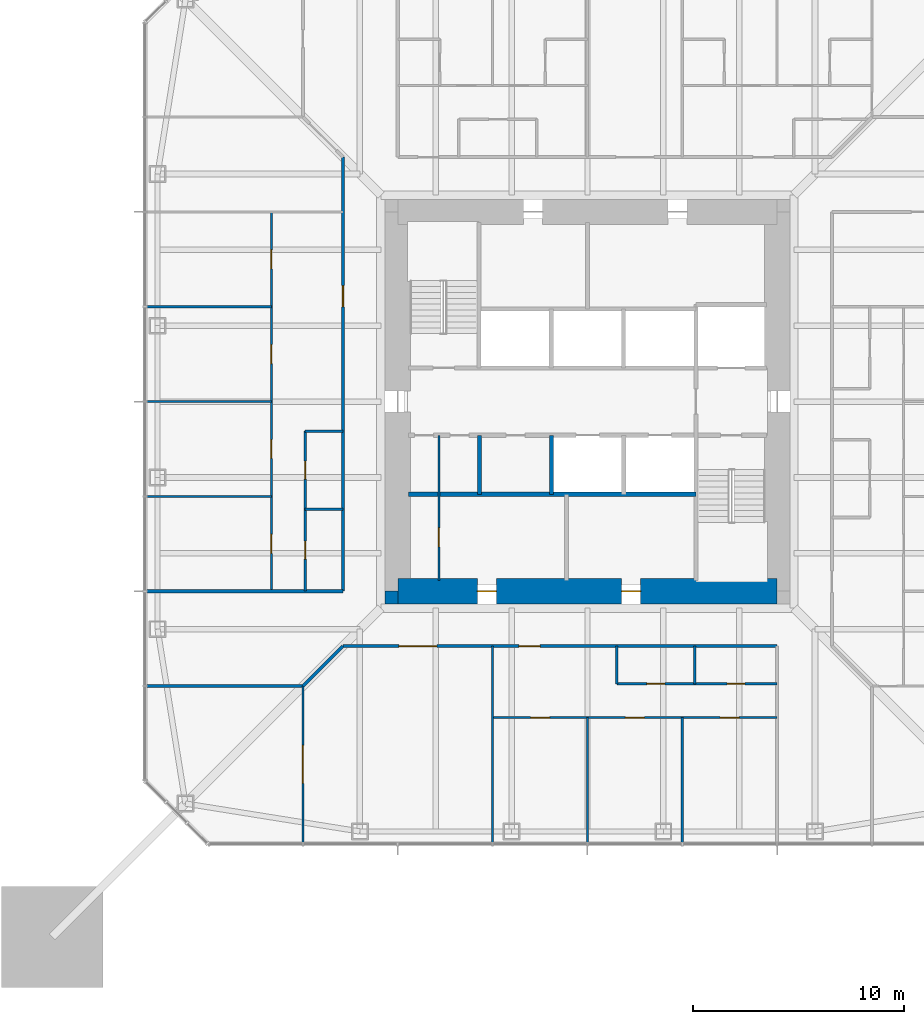
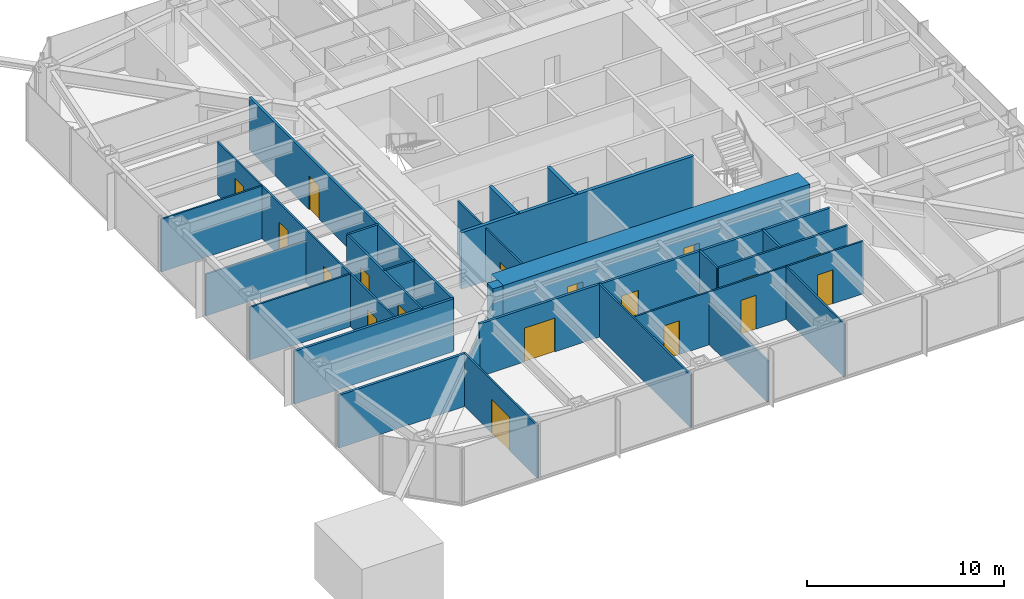
# One storey, part 13 of 25: 26 walls, 18 doors, 18 openings.
"""IFC4 building model written with IfcOpenShell, lengths in metres."""

from ifc_helpers import new_model, si_unit, direction, frame, frame_2d, origin, place, context, subcontext, project, spatial, rectangle, extrude, material, layer, layer_set, type_object, element, fill, save


model = new_model("IFC4")

# Units and contexts
model_context = context("Model", 3, precision=1e-05, world=origin(), true_north=direction((0.0, 1.0)))
body_context = subcontext(model_context, "Body", "Model", "MODEL_VIEW")
ifc_project = project(units=[si_unit("LENGTHUNIT", "METRE"), si_unit("AREAUNIT", "SQUARE_METRE"), si_unit("VOLUMEUNIT", "CUBIC_METRE"), si_unit("PLANEANGLEUNIT", "RADIAN"), si_unit("MASSUNIT", "GRAM", prefix="KILO")], contexts=[model_context])

# Site, building, storey
site_placement = place(None, origin())
site = spatial("IfcSite", under=ifc_project, at=site_placement, CompositionType="ELEMENT")
building_placement = place(site_placement, origin())
building = spatial("IfcBuilding", under=site, at=building_placement, Name="Iwan Alto Co-Living Towers", CompositionType="ELEMENT")
storey_placement = place(building_placement, frame((0.0, 0.0, 105.0)))
storey = spatial("IfcBuildingStorey", under=building, at=storey_placement, Name="L28", CompositionType="ELEMENT", Elevation=105.0)

# Wall
ifc_material_1 = material(Name="Gypsum board")
ifc_layer_1 = layer(ifc_material_1, 0.02490234375, Name="Board", Category="Finish")
ifc_material_2 = material(Name="Steel ASTM A1003 ST33H cold-formed studs", Category="steel")
ifc_layer_2 = layer(ifc_material_2, 0.10009765625, Name="Studs", Category="Framing")
ifc_layer_3 = layer(ifc_material_1, 0.02490234375, Name="Board", Category="Finish")
ifc_layer_set_1 = layer_set([ifc_layer_1, ifc_layer_2, ifc_layer_3], Name="CORRIDOR WALL 150")
wall_type_1 = type_object("IfcWallType", Name="CORRIDOR WALL 150", PredefinedType="PARTITIONING", material=ifc_layer_set_1)
wall_1_placement = place(storey_placement, frame((-20.93994140625, -13.5, 0.0), z_axis=(0.0, 0.0, 1.0), x_axis=(1.0, 0.0, 0.0)))
element("IfcWall", 1, at=wall_1_placement, inside=storey, type_object=wall_type_1, Name="Partition L28", PredefinedType="PARTITIONING", context=body_context, shape_type="SweptSolid", body=[
    extrude(rectangle(XDim=7.43994140625, YDim=0.14990234375, at=frame_2d((3.719970703125, 0.0))), origin(), (0.0, 0.0, 1.0), 3.27001953125),
])

# Wall, openings, doors
wall_2_placement = place(storey_placement, frame((-11.60009765625, -11.60009765625, 0.0), z_axis=(0.0, 0.0, 1.0), x_axis=(1.0, 0.0, 0.0)))
wall_2 = element("IfcWall", 2, at=wall_2_placement, inside=storey, type_object=wall_type_1, Name="Partition L28", PredefinedType="PARTITIONING", context=body_context, shape_type="SweptSolid", body=[
    extrude(rectangle(XDim=20.60009765625, YDim=0.14990234375, at=frame_2d((10.300048828125, 0.0))), origin(), (0.0, 0.0, 1.0), 3.27001953125),
])
opening_1_placement = place(wall_2_placement, frame((2.64990234375, 0.0, 0.0)))
opening_1 = element("IfcOpeningElement", 3, at=opening_1_placement, cuts=wall_2, Name="Opening D9", PredefinedType="OPENING", context=body_context, shape_type="SweptSolid", body=[
    extrude(rectangle(XDim=1.800048828125, YDim=2.10009765625, at=frame_2d((0.89990234375, 1.050048828125))), frame((0.0, 0.0849609375, 0.0), z_axis=(0.0, -1.0, 0.0), x_axis=(1.0, 0.0, 0.0)), (0.0, 0.0, 1.0), 0.169921875),
])
opening_2_placement = place(wall_2_placement, frame((8.35009765625, 0.0, 0.0)))
opening_2 = element("IfcOpeningElement", 4, at=opening_2_placement, cuts=wall_2, Name="Opening D3", PredefinedType="OPENING", context=body_context, shape_type="SweptSolid", body=[
    extrude(rectangle(XDim=1.0, YDim=2.10009765625, at=frame_2d((0.5, 1.050048828125))), frame((0.0, 0.0849609375, 0.0), z_axis=(0.0, -1.0, 0.0), x_axis=(1.0, 0.0, 0.0)), (0.0, 0.0, 1.0), 0.169921875),
])
ifc_material_3 = material(Name="Steel frame with timber leaf", Category="steel")
door_type_1 = type_object("IfcDoorType", Name="FLAT ENTRANCE DOOR FD30S 1000X2100", OperationType="SINGLE_SWING_LEFT", PredefinedType="DOOR", material=ifc_material_3)
door_1_placement = place(opening_2_placement, frame((1.0, 0.0, 0.0), z_axis=(0.0, 0.0, 1.0), x_axis=(-1.0, 0.0, 0.0)))
door_1 = element("IfcDoor", 5, at=door_1_placement, inside=storey, type_object=door_type_1, Name="Cluster lounge and shared kitchen door L28", OperationType="SINGLE_SWING_RIGHT", OverallHeight=2.10009765625, OverallWidth=1.0, PredefinedType="DOOR", context=body_context, shape_type="SweptSolid", body=[
    extrude(rectangle(XDim=1.0, YDim=2.10009765625, at=frame_2d((0.5, 1.050048828125))), frame((0.0, 0.02490234375, 0.0), z_axis=(0.0, -1.0, 0.0), x_axis=(1.0, 0.0, 0.0)), (0.0, 0.0, 1.0), 0.050048828125),
])
fill(opening_2, door_1)
ifc_material_4 = material(Name="Steel frame with timber leaf", Category="steel")
door_type_2 = type_object("IfcDoorType", Name="LOUNGE DOOR FD30S 1800X2100", OperationType="DOUBLE_DOOR_SINGLE_SWING", PredefinedType="DOOR", material=ifc_material_4)
door_2_placement = place(opening_1_placement, frame((1.800048828125, 0.0, 0.0), z_axis=(0.0, 0.0, 1.0), x_axis=(-1.0, 0.0, 0.0)))
door_2 = element("IfcDoor", 6, at=door_2_placement, inside=storey, type_object=door_type_2, Name="Study commons door L28", OperationType="DOUBLE_DOOR_SINGLE_SWING", OverallHeight=2.10009765625, OverallWidth=1.800048828125, PredefinedType="DOOR", context=body_context, shape_type="SweptSolid", body=[
    extrude(rectangle(XDim=1.800048828125, YDim=2.10009765625, at=frame_2d((0.89990234375, 1.050048828125))), frame((0.0, 0.02490234375, 0.0), z_axis=(0.0, -1.0, 0.0), x_axis=(1.0, 0.0, 0.0)), (0.0, 0.0, 1.0), 0.050048828125),
])
fill(opening_1, door_2)

# Walls
wall_3_placement = place(storey_placement, frame((-20.93994140625, -9.0, 0.0), z_axis=(0.0, 0.0, 1.0), x_axis=(1.0, 0.0, 0.0)))
element("IfcWall", 7, at=wall_3_placement, inside=storey, type_object=wall_type_1, Name="Partition L28", PredefinedType="PARTITIONING", context=body_context, shape_type="SweptSolid", body=[
    extrude(rectangle(XDim=9.33984375, YDim=0.14990234375, at=frame_2d((4.669921875, 0.0))), origin(), (0.0, 0.0, 1.0), 3.27001953125),
])
wall_4_placement = place(storey_placement, frame((-13.5, -13.5, 0.0), z_axis=(0.0, 0.0, 1.0), x_axis=(0.707106781187, 0.707106781187, 0.0)))
element("IfcWall", 8, at=wall_4_placement, inside=storey, type_object=wall_type_1, Name="Partition L28", PredefinedType="PARTITIONING", context=body_context, shape_type="SweptSolid", body=[
    extrude(rectangle(XDim=2.686767578125, YDim=0.14990234375, at=frame_2d((1.34326171875, 0.0))), origin(), (0.0, 0.0, 1.0), 2.343017578125),
])

# Wall, opening, door
wall_5_placement = place(storey_placement, frame((-11.60009765625, -9.0, 0.0), z_axis=(0.0, 0.0, 1.0), x_axis=(0.0, 1.0, 0.0)))
wall_5 = element("IfcWall", 9, at=wall_5_placement, inside=storey, type_object=wall_type_1, Name="Partition L28", PredefinedType="PARTITIONING", context=body_context, shape_type="SweptSolid", body=[
    extrude(rectangle(XDim=20.60009765625, YDim=0.14990234375, at=frame_2d((10.300048828125, 0.0))), origin(), (0.0, 0.0, 1.0), 3.27001953125),
])
opening_3_placement = place(wall_5_placement, frame((13.5, 0.0, 0.0)))
opening_3 = element("IfcOpeningElement", 10, at=opening_3_placement, cuts=wall_5, Name="Opening D3", PredefinedType="OPENING", context=body_context, shape_type="SweptSolid", body=[
    extrude(rectangle(XDim=1.0, YDim=2.10009765625, at=frame_2d((0.5, 1.050048828125))), frame((0.0, 0.0849609375, 0.0), z_axis=(0.0, -1.0, 0.0), x_axis=(1.0, 0.0, 0.0)), (0.0, 0.0, 1.0), 0.169921875),
])
door_3_placement = place(opening_3_placement, origin())
door_3 = element("IfcDoor", 11, at=door_3_placement, inside=storey, type_object=door_type_1, Name="Cluster lounge and shared kitchen door L28", OperationType="SINGLE_SWING_RIGHT", OverallHeight=2.10009765625, OverallWidth=1.0, PredefinedType="DOOR", context=body_context, shape_type="SweptSolid", body=[
    extrude(rectangle(XDim=1.0, YDim=2.10009765625, at=frame_2d((0.5, 1.050048828125))), frame((0.0, 0.02490234375, 0.0), z_axis=(0.0, -1.0, 0.0), x_axis=(1.0, 0.0, 0.0)), (0.0, 0.0, 1.0), 0.050048828125),
])
fill(opening_3, door_3)

# Wall, openings, doors
ifc_layer_4 = layer(ifc_material_1, 0.012451171875, Name="Board", Category="Finish")
ifc_layer_5 = layer(ifc_material_2, 0.074951171875, Name="Studs", Category="Framing")
ifc_layer_6 = layer(ifc_material_1, 0.012451171875, Name="Board", Category="Finish")
ifc_layer_set_2 = layer_set([ifc_layer_4, ifc_layer_5, ifc_layer_6], Name="PARTITION 100")
wall_type_2 = type_object("IfcWallType", Name="PARTITION 100", PredefinedType="PARTITIONING", material=ifc_layer_set_2)
wall_6_placement = place(storey_placement, frame((-4.5, -15.0, 0.0), z_axis=(0.0, 0.0, 1.0), x_axis=(1.0, 0.0, 0.0)))
wall_6 = element("IfcWall", 12, at=wall_6_placement, inside=storey, type_object=wall_type_2, Name="Partition L28", PredefinedType="PARTITIONING", context=body_context, shape_type="SweptSolid", body=[
    extrude(rectangle(XDim=13.5, YDim=0.10009765625, at=frame_2d((6.75, 0.0))), origin(), (0.0, 0.0, 1.0), 3.27001953125),
])
opening_4_placement = place(wall_6_placement, frame((1.800048828125, 0.0, 0.0)))
opening_4 = element("IfcOpeningElement", 13, at=opening_4_placement, cuts=wall_6, Name="Opening D1", PredefinedType="OPENING", context=body_context, shape_type="SweptSolid", body=[
    extrude(rectangle(XDim=0.89990234375, YDim=2.10009765625, at=frame_2d((0.449951171875, 1.050048828125))), frame((0.0, 0.06005859375, 0.0), z_axis=(0.0, -1.0, 0.0), x_axis=(1.0, 0.0, 0.0)), (0.0, 0.0, 1.0), 0.1201171875),
])
opening_5_placement = place(wall_6_placement, frame((6.300048828125, 0.0, 0.0)))
opening_5 = element("IfcOpeningElement", 14, at=opening_5_placement, cuts=wall_6, Name="Opening D1", PredefinedType="OPENING", context=body_context, shape_type="SweptSolid", body=[
    extrude(rectangle(XDim=0.89990234375, YDim=2.10009765625, at=frame_2d((0.449951171875, 1.050048828125))), frame((0.0, 0.06005859375, 0.0), z_axis=(0.0, -1.0, 0.0), x_axis=(1.0, 0.0, 0.0)), (0.0, 0.0, 1.0), 0.1201171875),
])
opening_6_placement = place(wall_6_placement, frame((10.800048828125, 0.0, 0.0)))
opening_6 = element("IfcOpeningElement", 15, at=opening_6_placement, cuts=wall_6, Name="Opening D1", PredefinedType="OPENING", context=body_context, shape_type="SweptSolid", body=[
    extrude(rectangle(XDim=0.89990234375, YDim=2.10009765625, at=frame_2d((0.449951171875, 1.050048828125))), frame((0.0, 0.06005859375, 0.0), z_axis=(0.0, -1.0, 0.0), x_axis=(1.0, 0.0, 0.0)), (0.0, 0.0, 1.0), 0.1201171875),
])
ifc_material_5 = material(Name="Timber leaf in steel frame", Category="steel")
door_type_3 = type_object("IfcDoorType", Name="BEDROOM DOOR 900X2100", OperationType="SINGLE_SWING_LEFT", PredefinedType="DOOR", material=ifc_material_5)
door_4_placement = place(opening_4_placement, origin())
door_4 = element("IfcDoor", 16, at=door_4_placement, inside=storey, type_object=door_type_3, Name="Study bedroom door L28", OperationType="SINGLE_SWING_LEFT", OverallHeight=2.10009765625, OverallWidth=0.89990234375, PredefinedType="DOOR", context=body_context, shape_type="SweptSolid", body=[
    extrude(rectangle(XDim=0.89990234375, YDim=2.10009765625, at=frame_2d((0.449951171875, 1.050048828125))), frame((0.0, 0.02490234375, 0.0), z_axis=(0.0, -1.0, 0.0), x_axis=(1.0, 0.0, 0.0)), (0.0, 0.0, 1.0), 0.050048828125),
])
fill(opening_4, door_4)
door_5_placement = place(opening_5_placement, origin())
door_5 = element("IfcDoor", 17, at=door_5_placement, inside=storey, type_object=door_type_3, Name="Study bedroom door L28", OperationType="SINGLE_SWING_LEFT", OverallHeight=2.10009765625, OverallWidth=0.89990234375, PredefinedType="DOOR", context=body_context, shape_type="SweptSolid", body=[
    extrude(rectangle(XDim=0.89990234375, YDim=2.10009765625, at=frame_2d((0.449951171875, 1.050048828125))), frame((0.0, 0.02490234375, 0.0), z_axis=(0.0, -1.0, 0.0), x_axis=(1.0, 0.0, 0.0)), (0.0, 0.0, 1.0), 0.050048828125),
])
fill(opening_5, door_5)
door_6_placement = place(opening_6_placement, origin())
door_6 = element("IfcDoor", 18, at=door_6_placement, inside=storey, type_object=door_type_3, Name="Study bedroom door L28", OperationType="SINGLE_SWING_RIGHT", OverallHeight=2.10009765625, OverallWidth=0.89990234375, PredefinedType="DOOR", context=body_context, shape_type="SweptSolid", body=[
    extrude(rectangle(XDim=0.89990234375, YDim=2.10009765625, at=frame_2d((0.449951171875, 1.050048828125))), frame((0.0, 0.02490234375, 0.0), z_axis=(0.0, -1.0, 0.0), x_axis=(1.0, 0.0, 0.0)), (0.0, 0.0, 1.0), 0.050048828125),
])
fill(opening_6, door_6)

# Walls
wall_7_placement = place(storey_placement, frame((-20.93994140625, -4.5, 0.0), z_axis=(0.0, 0.0, 1.0), x_axis=(1.0, 0.0, 0.0)))
element("IfcWall", 19, at=wall_7_placement, inside=storey, type_object=wall_type_2, Name="Partition L28", PredefinedType="PARTITIONING", context=body_context, shape_type="SweptSolid", body=[
    extrude(rectangle(XDim=5.93994140625, YDim=0.10009765625, at=frame_2d((2.969970703125, 0.0))), origin(), (0.0, 0.0, 1.0), 3.27001953125),
])
wall_8_placement = place(storey_placement, frame((-20.93994140625, 0.0, 0.0), z_axis=(0.0, 0.0, 1.0), x_axis=(1.0, 0.0, 0.0)))
element("IfcWall", 20, at=wall_8_placement, inside=storey, type_object=wall_type_2, Name="Partition L28", PredefinedType="PARTITIONING", context=body_context, shape_type="SweptSolid", body=[
    extrude(rectangle(XDim=5.93994140625, YDim=0.10009765625, at=frame_2d((2.969970703125, 0.0))), origin(), (0.0, 0.0, 1.0), 2.586669921875),
])
for number, where, z_axis, x_axis, name in (
    (21, (-20.93994140625, 4.5, 0.0), (0.0, 0.0, 1.0), (1.0, 0.0, 0.0), "Partition L28"),
    (22, (4.5, -20.93994140625, 0.0), (0.0, 0.0, 1.0), (0.0, 1.0, 0.0), "Partition L28"),
):
    element("IfcWall", number, at=place(storey_placement, frame(where, z_axis=z_axis, x_axis=x_axis)), inside=storey, type_object=wall_type_2, Name=name, PredefinedType="PARTITIONING", context=body_context, shape_type="SweptSolid", body=[
        extrude(rectangle(XDim=5.93994140625, YDim=0.10009765625, at=frame_2d((2.969970703125, 0.0))), origin(), (0.0, 0.0, 1.0), 3.27001953125),
    ])
wall_9_placement = place(storey_placement, frame((0.0, -20.93994140625, 0.0), z_axis=(0.0, 0.0, 1.0), x_axis=(0.0, 1.0, 0.0)))
element("IfcWall", 23, at=wall_9_placement, inside=storey, type_object=wall_type_2, Name="Partition L28", PredefinedType="PARTITIONING", context=body_context, shape_type="SweptSolid", body=[
    extrude(rectangle(XDim=5.93994140625, YDim=0.10009765625, at=frame_2d((2.969970703125, 0.0))), origin(), (0.0, 0.0, 1.0), 2.586669921875),
])
wall_10_placement = place(storey_placement, frame((-4.5, -20.93994140625, 0.0), z_axis=(0.0, 0.0, 1.0), x_axis=(0.0, 1.0, 0.0)))
element("IfcWall", 24, at=wall_10_placement, inside=storey, type_object=wall_type_2, Name="Partition L28", PredefinedType="PARTITIONING", context=body_context, shape_type="SweptSolid", body=[
    extrude(rectangle(XDim=9.33984375, YDim=0.10009765625, at=frame_2d((4.669921875, 0.0))), origin(), (0.0, 0.0, 1.0), 3.27001953125),
])

# Wall, opening, door
wall_11_placement = place(storey_placement, frame((-7.050048828125, -8.489990234375, 0.0), z_axis=(0.0, 0.0, 1.0), x_axis=(0.0, 1.0, 0.0)))
wall_11 = element("IfcWall", 25, at=wall_11_placement, inside=storey, type_object=wall_type_2, Name="Partition L28", PredefinedType="PARTITIONING", context=body_context, shape_type="SweptSolid", body=[
    extrude(rectangle(XDim=6.889892578125, YDim=0.10009765625, at=frame_2d((3.44482421875, 0.0))), origin(), (0.0, 0.0, 1.0), 3.300048828125),
])
opening_7_placement = place(wall_11_placement, frame((1.594970703125, 0.0, 0.0)))
opening_7 = element("IfcOpeningElement", 26, at=opening_7_placement, cuts=wall_11, Name="Opening D16", PredefinedType="OPENING", context=body_context, shape_type="SweptSolid", body=[
    extrude(rectangle(XDim=0.89990234375, YDim=2.10009765625, at=frame_2d((0.449951171875, 1.050048828125))), frame((0.0, 0.06005859375, 0.0), z_axis=(0.0, -1.0, 0.0), x_axis=(1.0, 0.0, 0.0)), (0.0, 0.0, 1.0), 0.1201171875),
])
ifc_material_6 = material(Name="Timber leaf in steel frame", Category="steel")
door_type_4 = type_object("IfcDoorType", Name="CUPBOARD SLIDING DOOR 900X2100", OperationType="SLIDING_TO_LEFT", PredefinedType="DOOR", material=ifc_material_6)
door_7_placement = place(opening_7_placement, origin())
door_7 = element("IfcDoor", 27, at=door_7_placement, inside=storey, type_object=door_type_4, Name="Cleaner's store door L28", OperationType="SLIDING_TO_RIGHT", OverallHeight=2.10009765625, OverallWidth=0.89990234375, PredefinedType="DOOR", context=body_context, shape_type="SweptSolid", body=[
    extrude(rectangle(XDim=0.89990234375, YDim=2.10009765625, at=frame_2d((0.449951171875, 1.050048828125))), frame((0.0, 0.02490234375, 0.0), z_axis=(0.0, -1.0, 0.0), x_axis=(1.0, 0.0, 0.0)), (0.0, 0.0, 1.0), 0.050048828125),
])
fill(opening_7, door_7)

wall_12_placement = place(storey_placement, frame((-13.5, -20.93994140625, 0.0), z_axis=(0.0, 0.0, 1.0), x_axis=(0.0, 1.0, 0.0)))
wall_12 = element("IfcWall", 28, at=wall_12_placement, inside=storey, type_object=wall_type_2, Name="Partition L28", PredefinedType="PARTITIONING", context=body_context, shape_type="SweptSolid", body=[
    extrude(rectangle(XDim=7.43994140625, YDim=0.10009765625, at=frame_2d((3.719970703125, 0.0))), origin(), (0.0, 0.0, 1.0), 3.27001953125),
])
opening_8_placement = place(wall_12_placement, frame((2.820068359375, 0.0, 0.0)))
opening_8 = element("IfcOpeningElement", 29, at=opening_8_placement, cuts=wall_12, Name="Opening D14", PredefinedType="OPENING", context=body_context, shape_type="SweptSolid", body=[
    extrude(rectangle(XDim=1.800048828125, YDim=2.10009765625, at=frame_2d((0.89990234375, 1.050048828125))), frame((0.0, 0.06005859375, 0.0), z_axis=(0.0, -1.0, 0.0), x_axis=(1.0, 0.0, 0.0)), (0.0, 0.0, 1.0), 0.1201171875),
])
ifc_material_7 = material(Name="Timber leaf in steel frame", Category="steel")
door_type_5 = type_object("IfcDoorType", Name="LOUNGE DOOR 1800X2100", OperationType="DOUBLE_DOOR_SINGLE_SWING", PredefinedType="DOOR", material=ifc_material_7)
door_8_placement = place(opening_8_placement, frame((1.800048828125, 0.0, 0.0), z_axis=(0.0, 0.0, 1.0), x_axis=(-1.0, 0.0, 0.0)))
door_8 = element("IfcDoor", 30, at=door_8_placement, inside=storey, type_object=door_type_5, Name="Courtyard lounge door L28", OperationType="DOUBLE_DOOR_SINGLE_SWING", OverallHeight=2.10009765625, OverallWidth=1.800048828125, PredefinedType="DOOR", context=body_context, shape_type="SweptSolid", body=[
    extrude(rectangle(XDim=1.800048828125, YDim=2.10009765625, at=frame_2d((0.89990234375, 1.050048828125))), frame((0.0, 0.02490234375, 0.0), z_axis=(0.0, -1.0, 0.0), x_axis=(1.0, 0.0, 0.0)), (0.0, 0.0, 1.0), 0.050048828125),
])
fill(opening_8, door_8)

# Wall, openings, doors
wall_13_placement = place(storey_placement, frame((-15.0, -9.0, 0.0), z_axis=(0.0, 0.0, 1.0), x_axis=(0.0, 1.0, 0.0)))
wall_13 = element("IfcWall", 31, at=wall_13_placement, inside=storey, type_object=wall_type_2, Name="Partition L28", PredefinedType="PARTITIONING", context=body_context, shape_type="SweptSolid", body=[
    extrude(rectangle(XDim=18.0, YDim=0.10009765625, at=frame_2d((9.0, 0.0))), origin(), (0.0, 0.0, 1.0), 3.27001953125),
])
opening_9_placement = place(wall_13_placement, frame((15.300048828125, 0.0, 0.0)))
opening_9 = element("IfcOpeningElement", 32, at=opening_9_placement, cuts=wall_13, Name="Opening D1", PredefinedType="OPENING", context=body_context, shape_type="SweptSolid", body=[
    extrude(rectangle(XDim=0.89990234375, YDim=2.10009765625, at=frame_2d((0.449951171875, 1.050048828125))), frame((0.0, 0.06005859375, 0.0), z_axis=(0.0, -1.0, 0.0), x_axis=(1.0, 0.0, 0.0)), (0.0, 0.0, 1.0), 0.1201171875),
])
opening_10_placement = place(wall_13_placement, frame((10.800048828125, 0.0, 0.0)))
opening_10 = element("IfcOpeningElement", 33, at=opening_10_placement, cuts=wall_13, Name="Opening D1", PredefinedType="OPENING", context=body_context, shape_type="SweptSolid", body=[
    extrude(rectangle(XDim=0.89990234375, YDim=2.10009765625, at=frame_2d((0.449951171875, 1.050048828125))), frame((0.0, 0.06005859375, 0.0), z_axis=(0.0, -1.0, 0.0), x_axis=(1.0, 0.0, 0.0)), (0.0, 0.0, 1.0), 0.1201171875),
])
opening_11_placement = place(wall_13_placement, frame((6.300048828125, 0.0, 0.0)))
opening_11 = element("IfcOpeningElement", 34, at=opening_11_placement, cuts=wall_13, Name="Opening D1", PredefinedType="OPENING", context=body_context, shape_type="SweptSolid", body=[
    extrude(rectangle(XDim=0.89990234375, YDim=2.10009765625, at=frame_2d((0.449951171875, 1.050048828125))), frame((0.0, 0.06005859375, 0.0), z_axis=(0.0, -1.0, 0.0), x_axis=(1.0, 0.0, 0.0)), (0.0, 0.0, 1.0), 0.1201171875),
])
opening_12_placement = place(wall_13_placement, frame((1.800048828125, 0.0, 0.0)))
opening_12 = element("IfcOpeningElement", 35, at=opening_12_placement, cuts=wall_13, Name="Opening D1", PredefinedType="OPENING", context=body_context, shape_type="SweptSolid", body=[
    extrude(rectangle(XDim=0.89990234375, YDim=2.10009765625, at=frame_2d((0.449951171875, 1.050048828125))), frame((0.0, 0.06005859375, 0.0), z_axis=(0.0, -1.0, 0.0), x_axis=(1.0, 0.0, 0.0)), (0.0, 0.0, 1.0), 0.1201171875),
])
door_9_placement = place(opening_9_placement, frame((0.89990234375, 0.0, 0.0), z_axis=(0.0, 0.0, 1.0), x_axis=(-1.0, 0.0, 0.0)))
door_9 = element("IfcDoor", 36, at=door_9_placement, inside=storey, type_object=door_type_3, Name="Study bedroom door L28", OperationType="SINGLE_SWING_LEFT", OverallHeight=2.10009765625, OverallWidth=0.89990234375, PredefinedType="DOOR", context=body_context, shape_type="SweptSolid", body=[
    extrude(rectangle(XDim=0.89990234375, YDim=2.10009765625, at=frame_2d((0.449951171875, 1.050048828125))), frame((0.0, 0.02490234375, 0.0), z_axis=(0.0, -1.0, 0.0), x_axis=(1.0, 0.0, 0.0)), (0.0, 0.0, 1.0), 0.050048828125),
])
fill(opening_9, door_9)
door_10_placement = place(opening_10_placement, frame((0.89990234375, 0.0, 0.0), z_axis=(0.0, 0.0, 1.0), x_axis=(-1.0, 0.0, 0.0)))
door_10 = element("IfcDoor", 37, at=door_10_placement, inside=storey, type_object=door_type_3, Name="Study bedroom door L28", OperationType="SINGLE_SWING_LEFT", OverallHeight=2.10009765625, OverallWidth=0.89990234375, PredefinedType="DOOR", context=body_context, shape_type="SweptSolid", body=[
    extrude(rectangle(XDim=0.89990234375, YDim=2.10009765625, at=frame_2d((0.449951171875, 1.050048828125))), frame((0.0, 0.02490234375, 0.0), z_axis=(0.0, -1.0, 0.0), x_axis=(1.0, 0.0, 0.0)), (0.0, 0.0, 1.0), 0.050048828125),
])
fill(opening_10, door_10)
door_11_placement = place(opening_11_placement, frame((0.89990234375, 0.0, 0.0), z_axis=(0.0, 0.0, 1.0), x_axis=(-1.0, 0.0, 0.0)))
door_11 = element("IfcDoor", 38, at=door_11_placement, inside=storey, type_object=door_type_3, Name="Study bedroom door L28", OperationType="SINGLE_SWING_RIGHT", OverallHeight=2.10009765625, OverallWidth=0.89990234375, PredefinedType="DOOR", context=body_context, shape_type="SweptSolid", body=[
    extrude(rectangle(XDim=0.89990234375, YDim=2.10009765625, at=frame_2d((0.449951171875, 1.050048828125))), frame((0.0, 0.02490234375, 0.0), z_axis=(0.0, -1.0, 0.0), x_axis=(1.0, 0.0, 0.0)), (0.0, 0.0, 1.0), 0.050048828125),
])
fill(opening_11, door_11)
door_12_placement = place(opening_12_placement, frame((0.89990234375, 0.0, 0.0), z_axis=(0.0, 0.0, 1.0), x_axis=(-1.0, 0.0, 0.0)))
door_12 = element("IfcDoor", 39, at=door_12_placement, inside=storey, type_object=door_type_3, Name="Study bedroom door L28", OperationType="SINGLE_SWING_RIGHT", OverallHeight=2.10009765625, OverallWidth=0.89990234375, PredefinedType="DOOR", context=body_context, shape_type="SweptSolid", body=[
    extrude(rectangle(XDim=0.89990234375, YDim=2.10009765625, at=frame_2d((0.449951171875, 1.050048828125))), frame((0.0, 0.02490234375, 0.0), z_axis=(0.0, -1.0, 0.0), x_axis=(1.0, 0.0, 0.0)), (0.0, 0.0, 1.0), 0.050048828125),
])
fill(opening_12, door_12)

# Walls
ifc_material_8 = material(Name="Concrete f'c 70 MPa", Category="concrete")
ifc_layer_7 = layer(ifc_material_8, 0.199951171875)
ifc_layer_set_3 = layer_set([ifc_layer_7], Name="SHAFT WALL 200")
wall_type_3 = type_object("IfcWallType", Name="SHAFT WALL 200", PredefinedType="SOLIDWALL", material=ifc_layer_set_3)
wall_14_placement = place(storey_placement, frame((-8.489990234375, -4.39990234375, 0.0), z_axis=(0.0, 0.0, 1.0), x_axis=(1.0, 0.0, 0.0)))
element("IfcWall", 40, at=wall_14_placement, inside=storey, type_object=wall_type_3, Name="Shaft wall L28", PredefinedType="SOLIDWALL", context=body_context, shape_type="SweptSolid", body=[
    extrude(rectangle(XDim=13.639892578125, YDim=0.199951171875, at=frame_2d((6.81982421875, 0.0))), origin(), (0.0, 0.0, 1.0), 3.5),
])
for number, where, z_axis, x_axis, name in (
    (41, (-1.699951171875, -4.39990234375, 0.0), (0.0, 0.0, 1.0), (0.0, 1.0, 0.0), "Shaft wall L28"),
    (42, (-5.125, -4.39990234375, 0.0), (0.0, 0.0, 1.0), (0.0, 1.0, 0.0), "Shaft wall L28"),
):
    element("IfcWall", number, at=place(storey_placement, frame(where, z_axis=z_axis, x_axis=x_axis)), inside=storey, type_object=wall_type_3, Name=name, PredefinedType="SOLIDWALL", context=body_context, shape_type="SweptSolid", body=[
        extrude(rectangle(XDim=2.7998046875, YDim=0.199951171875, at=frame_2d((1.39990234375, 0.0))), origin(), (0.0, 0.0, 1.0), 3.5),
    ])
ifc_material_9 = material(Name="Concrete f'c 70 MPa", Category="concrete")
ifc_layer_8 = layer(ifc_material_9, 0.60009765625)
ifc_layer_set_4 = layer_set([ifc_layer_8], Name="T1 CORE CORNER FILL 600")
wall_type_4 = type_object("IfcWallType", Name="T1 CORE CORNER FILL 600", PredefinedType="SOLIDWALL", material=ifc_layer_set_4)
wall_15_placement = place(storey_placement, frame((-9.60009765625, -9.300048828125, 0.0), z_axis=(0.0, 0.0, 1.0), x_axis=(1.0, 0.0, 0.0)))
element("IfcWall", 43, at=wall_15_placement, inside=storey, type_object=wall_type_4, Name="T1 core corner SW L28", PredefinedType="SOLIDWALL", context=body_context, shape_type="SweptSolid", body=[
    extrude(rectangle(XDim=0.60009765625, YDim=0.60009765625, at=frame_2d((0.300048828125, 0.0))), origin(), (0.0, 0.0, 1.0), 3.5),
])

# Wall, openings, doors
ifc_material_10 = material(Name="Concrete f'c 70 MPa", Category="concrete")
ifc_layer_9 = layer(ifc_material_10, 1.199951171875)
ifc_layer_set_5 = layer_set([ifc_layer_9], Name="T1 CORE WALL 1200")
wall_type_5 = type_object("IfcWallType", Name="T1 CORE WALL 1200", PredefinedType="SHEAR", material=ifc_layer_set_5)
wall_16_placement = place(storey_placement, frame((-9.0, -9.0, 0.0), z_axis=(0.0, 0.0, 1.0), x_axis=(1.0, 0.0, 0.0)))
wall_16 = element("IfcWall", 44, at=wall_16_placement, inside=storey, type_object=wall_type_5, Name="T1 core wall S L28", PredefinedType="SHEAR", context=body_context, shape_type="SweptSolid", body=[
    extrude(rectangle(XDim=18.0, YDim=1.199951171875, at=frame_2d((9.0, 0.0))), origin(), (0.0, 0.0, 1.0), 3.5),
])
opening_13_placement = place(wall_16_placement, frame((3.77490234375, 0.0, 0.0)))
opening_13 = element("IfcOpeningElement", 45, at=opening_13_placement, cuts=wall_16, Name="Opening D8", PredefinedType="OPENING", context=body_context, shape_type="SweptSolid", body=[
    extrude(rectangle(XDim=0.89990234375, YDim=2.10009765625, at=frame_2d((0.449951171875, 1.050048828125))), frame((0.0, 0.60986328125, 0.0), z_axis=(0.0, -1.0, 0.0), x_axis=(1.0, 0.0, 0.0)), (0.0, 0.0, 1.0), 1.219970703125),
])
opening_14_placement = place(wall_16_placement, frame((10.625, 0.0, 0.0)))
opening_14 = element("IfcOpeningElement", 46, at=opening_14_placement, cuts=wall_16, Name="Opening D8", PredefinedType="OPENING", context=body_context, shape_type="SweptSolid", body=[
    extrude(rectangle(XDim=0.89990234375, YDim=2.10009765625, at=frame_2d((0.449951171875, 1.050048828125))), frame((0.0, 0.60986328125, 0.0), z_axis=(0.0, -1.0, 0.0), x_axis=(1.0, 0.0, 0.0)), (0.0, 0.0, 1.0), 1.219970703125),
])
ifc_material_11 = material(Name="Steel frame with timber leaf", Category="steel")
door_type_6 = type_object("IfcDoorType", Name="RISER DOOR FD120 900X2100", OperationType="SINGLE_SWING_LEFT", PredefinedType="DOOR", material=ifc_material_11)
door_13_placement = place(opening_13_placement, origin())
door_13 = element("IfcDoor", 47, at=door_13_placement, inside=storey, type_object=door_type_6, Name="Refuse room core door L28", OperationType="SINGLE_SWING_LEFT", OverallHeight=2.10009765625, OverallWidth=0.89990234375, PredefinedType="DOOR", context=body_context, shape_type="SweptSolid", body=[
    extrude(rectangle(XDim=0.89990234375, YDim=2.10009765625, at=frame_2d((0.449951171875, 1.050048828125))), frame((0.0, 0.02490234375, 0.0), z_axis=(0.0, -1.0, 0.0), x_axis=(1.0, 0.0, 0.0)), (0.0, 0.0, 1.0), 0.050048828125),
])
fill(opening_13, door_13)
door_14_placement = place(opening_14_placement, origin())
door_14 = element("IfcDoor", 48, at=door_14_placement, inside=storey, type_object=door_type_6, Name="Telecom riser core door L28", OperationType="SINGLE_SWING_LEFT", OverallHeight=2.10009765625, OverallWidth=0.89990234375, PredefinedType="DOOR", context=body_context, shape_type="SweptSolid", body=[
    extrude(rectangle(XDim=0.89990234375, YDim=2.10009765625, at=frame_2d((0.449951171875, 1.050048828125))), frame((0.0, 0.02490234375, 0.0), z_axis=(0.0, -1.0, 0.0), x_axis=(1.0, 0.0, 0.0)), (0.0, 0.0, 1.0), 0.050048828125),
])
fill(opening_14, door_14)

ifc_material_12 = material(Name="Cement board")
ifc_layer_10 = layer(ifc_material_12, 0.012451171875, Name="Board", Category="Finish")
ifc_layer_11 = layer(ifc_material_2, 0.094970703125, Name="Studs", Category="Framing")
ifc_layer_12 = layer(ifc_material_12, 0.012451171875, Name="Board", Category="Finish")
ifc_layer_set_6 = layer_set([ifc_layer_10, ifc_layer_11, ifc_layer_12], Name="WET AREA PARTITION 120")
wall_type_6 = type_object("IfcWallType", Name="WET AREA PARTITION 120", PredefinedType="PARTITIONING", material=ifc_layer_set_6)
wall_17_placement = place(storey_placement, frame((1.39990234375, -13.39990234375, 0.0), z_axis=(0.0, 0.0, 1.0), x_axis=(1.0, 0.0, 0.0)))
wall_17 = element("IfcWall", 49, at=wall_17_placement, inside=storey, type_object=wall_type_6, Name="Partition L28", PredefinedType="PARTITIONING", context=body_context, shape_type="SweptSolid", body=[
    extrude(rectangle(XDim=7.60009765625, YDim=0.1201171875, at=frame_2d((3.800048828125, 0.0))), origin(), (0.0, 0.0, 1.0), 3.27001953125),
])
opening_15_placement = place(wall_17_placement, frame((1.425048828125, 0.0, 0.0)))
opening_15 = element("IfcOpeningElement", 50, at=opening_15_placement, cuts=wall_17, Name="Opening D2", PredefinedType="OPENING", context=body_context, shape_type="SweptSolid", body=[
    extrude(rectangle(XDim=0.85009765625, YDim=2.10009765625, at=frame_2d((0.425048828125, 1.050048828125))), frame((0.0, 0.070068359375, 0.0), z_axis=(0.0, -1.0, 0.0), x_axis=(1.0, 0.0, 0.0)), (0.0, 0.0, 1.0), 0.14013671875),
])
opening_16_placement = place(wall_17_placement, frame((5.22509765625, 0.0, 0.0)))
opening_16 = element("IfcOpeningElement", 51, at=opening_16_placement, cuts=wall_17, Name="Opening D2", PredefinedType="OPENING", context=body_context, shape_type="SweptSolid", body=[
    extrude(rectangle(XDim=0.85009765625, YDim=2.10009765625, at=frame_2d((0.425048828125, 1.050048828125))), frame((0.0, 0.070068359375, 0.0), z_axis=(0.0, -1.0, 0.0), x_axis=(1.0, 0.0, 0.0)), (0.0, 0.0, 1.0), 0.14013671875),
])
ifc_material_13 = material(Name="Timber leaf in steel frame", Category="steel")
door_type_7 = type_object("IfcDoorType", Name="ROOM DOOR 850X2100", OperationType="SINGLE_SWING_LEFT", PredefinedType="DOOR", material=ifc_material_13)
door_15_placement = place(opening_15_placement, frame((0.85009765625, 0.0, 0.0), z_axis=(0.0, 0.0, 1.0), x_axis=(-1.0, 0.0, 0.0)))
door_15 = element("IfcDoor", 52, at=door_15_placement, inside=storey, type_object=door_type_7, Name="Accessible bathroom door L28", OperationType="SINGLE_SWING_LEFT", OverallHeight=2.10009765625, OverallWidth=0.85009765625, PredefinedType="DOOR", context=body_context, shape_type="SweptSolid", body=[
    extrude(rectangle(XDim=0.85009765625, YDim=2.10009765625, at=frame_2d((0.425048828125, 1.050048828125))), frame((0.0, 0.02490234375, 0.0), z_axis=(0.0, -1.0, 0.0), x_axis=(1.0, 0.0, 0.0)), (0.0, 0.0, 1.0), 0.050048828125),
])
fill(opening_15, door_15)
door_16_placement = place(opening_16_placement, frame((0.85009765625, 0.0, 0.0), z_axis=(0.0, 0.0, 1.0), x_axis=(-1.0, 0.0, 0.0)))
door_16 = element("IfcDoor", 53, at=door_16_placement, inside=storey, type_object=door_type_7, Name="Laundry door L28", OperationType="SINGLE_SWING_LEFT", OverallHeight=2.10009765625, OverallWidth=0.85009765625, PredefinedType="DOOR", context=body_context, shape_type="SweptSolid", body=[
    extrude(rectangle(XDim=0.85009765625, YDim=2.10009765625, at=frame_2d((0.425048828125, 1.050048828125))), frame((0.0, 0.02490234375, 0.0), z_axis=(0.0, -1.0, 0.0), x_axis=(1.0, 0.0, 0.0)), (0.0, 0.0, 1.0), 0.050048828125),
])
fill(opening_16, door_16)

# Walls
for number, where, z_axis, x_axis, name in (
    (54, (-13.39990234375, -5.10009765625, 0.0), (0.0, 0.0, 1.0), (1.0, 0.0, 0.0), "Partition L28"),
    (55, (-13.39990234375, -1.39990234375, 0.0), (0.0, 0.0, 1.0), (1.0, 0.0, 0.0), "Partition L28"),
    (56, (5.10009765625, -13.39990234375, 0.0), (0.0, 0.0, 1.0), (0.0, 1.0, 0.0), "Partition L28"),
    (57, (1.39990234375, -13.39990234375, 0.0), (0.0, 0.0, 1.0), (0.0, 1.0, 0.0), "Partition L28"),
):
    element("IfcWall", number, at=place(storey_placement, frame(where, z_axis=z_axis, x_axis=x_axis)), inside=storey, type_object=wall_type_6, Name=name, PredefinedType="PARTITIONING", context=body_context, shape_type="SweptSolid", body=[
        extrude(rectangle(XDim=1.7998046875, YDim=0.1201171875, at=frame_2d((0.89990234375, 0.0))), origin(), (0.0, 0.0, 1.0), 3.27001953125),
    ])

# Wall, openings, doors
wall_18_placement = place(storey_placement, frame((-13.39990234375, -9.0, 0.0), z_axis=(0.0, 0.0, 1.0), x_axis=(0.0, 1.0, 0.0)))
wall_18 = element("IfcWall", 58, at=wall_18_placement, inside=storey, type_object=wall_type_6, Name="Partition L28", PredefinedType="PARTITIONING", context=body_context, shape_type="SweptSolid", body=[
    extrude(rectangle(XDim=7.60009765625, YDim=0.1201171875, at=frame_2d((3.800048828125, 0.0))), origin(), (0.0, 0.0, 1.0), 3.27001953125),
])
opening_17_placement = place(wall_18_placement, frame((5.324951171875, 0.0, 0.0)))
opening_17 = element("IfcOpeningElement", 59, at=opening_17_placement, cuts=wall_18, Name="Opening D2", PredefinedType="OPENING", context=body_context, shape_type="SweptSolid", body=[
    extrude(rectangle(XDim=0.85009765625, YDim=2.10009765625, at=frame_2d((0.425048828125, 1.050048828125))), frame((0.0, 0.070068359375, 0.0), z_axis=(0.0, -1.0, 0.0), x_axis=(1.0, 0.0, 0.0)), (0.0, 0.0, 1.0), 0.14013671875),
])
opening_18_placement = place(wall_18_placement, frame((1.52490234375, 0.0, 0.0)))
opening_18 = element("IfcOpeningElement", 60, at=opening_18_placement, cuts=wall_18, Name="Opening D2", PredefinedType="OPENING", context=body_context, shape_type="SweptSolid", body=[
    extrude(rectangle(XDim=0.85009765625, YDim=2.10009765625, at=frame_2d((0.425048828125, 1.050048828125))), frame((0.0, 0.070068359375, 0.0), z_axis=(0.0, -1.0, 0.0), x_axis=(1.0, 0.0, 0.0)), (0.0, 0.0, 1.0), 0.14013671875),
])
door_17_placement = place(opening_17_placement, origin())
door_17 = element("IfcDoor", 61, at=door_17_placement, inside=storey, type_object=door_type_7, Name="Accessible bathroom door L28", OperationType="SINGLE_SWING_LEFT", OverallHeight=2.10009765625, OverallWidth=0.85009765625, PredefinedType="DOOR", context=body_context, shape_type="SweptSolid", body=[
    extrude(rectangle(XDim=0.85009765625, YDim=2.10009765625, at=frame_2d((0.425048828125, 1.050048828125))), frame((0.0, 0.02490234375, 0.0), z_axis=(0.0, -1.0, 0.0), x_axis=(1.0, 0.0, 0.0)), (0.0, 0.0, 1.0), 0.050048828125),
])
fill(opening_17, door_17)
door_18_placement = place(opening_18_placement, origin())
door_18 = element("IfcDoor", 62, at=door_18_placement, inside=storey, type_object=door_type_7, Name="Laundry door L28", OperationType="SINGLE_SWING_LEFT", OverallHeight=2.10009765625, OverallWidth=0.85009765625, PredefinedType="DOOR", context=body_context, shape_type="SweptSolid", body=[
    extrude(rectangle(XDim=0.85009765625, YDim=2.10009765625, at=frame_2d((0.425048828125, 1.050048828125))), frame((0.0, 0.02490234375, 0.0), z_axis=(0.0, -1.0, 0.0), x_axis=(1.0, 0.0, 0.0)), (0.0, 0.0, 1.0), 0.050048828125),
])
fill(opening_18, door_18)

save(model, "model.ifc")
